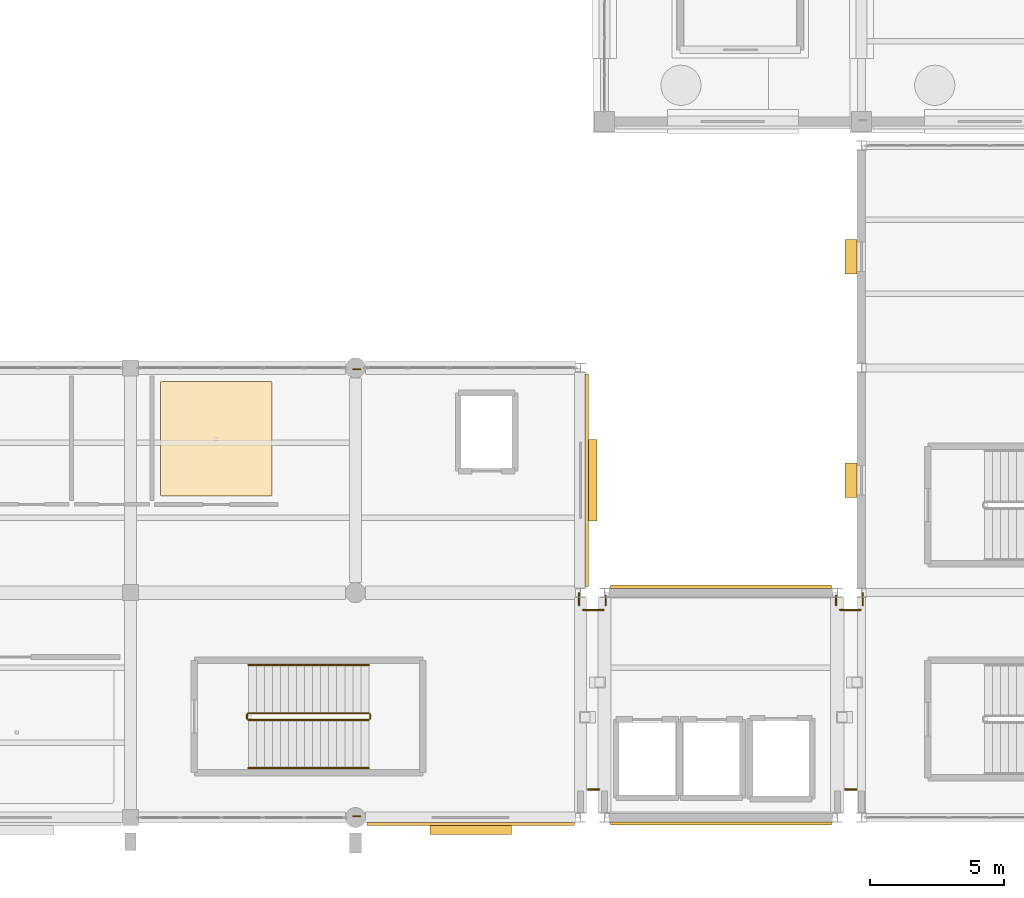
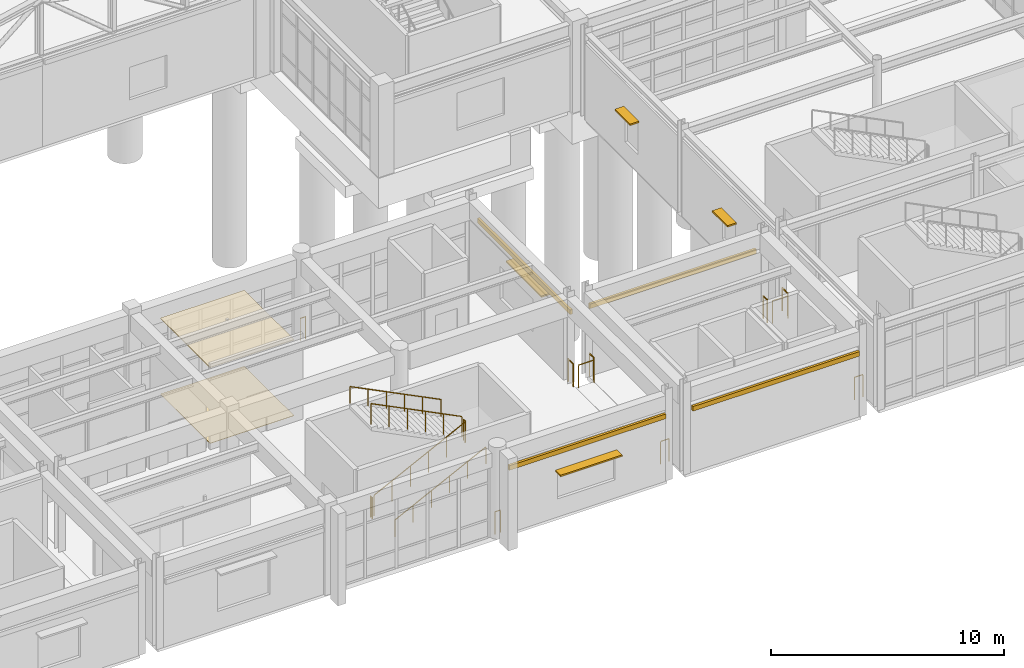
# One storey, part 125 of 139: 16 railings, 6 coverings, 4 shading devices.
"""IFC4 building model written with IfcOpenShell, lengths in metres."""

from ifc_helpers import new_model, si_unit, direction, frame, origin, origin_2d, place, context, subcontext, project, spatial, polyline, rectangle, circle, outline, extrude, material, layer, layer_set, type_object, element, save


model = new_model("IFC4")

# Units and contexts
model_context = context("Model", 3, precision=1e-05, world=origin(), true_north=direction((0.0, 1.0)))
body_context = subcontext(model_context, "Body", "Model", "MODEL_VIEW")
ifc_project = project(units=[si_unit("LENGTHUNIT", "METRE"), si_unit("AREAUNIT", "SQUARE_METRE"), si_unit("VOLUMEUNIT", "CUBIC_METRE"), si_unit("PLANEANGLEUNIT", "RADIAN"), si_unit("MASSUNIT", "GRAM", prefix="KILO")], contexts=[model_context])

# Site, building, storey
site_placement = place(None, origin())
site = spatial("IfcSite", under=ifc_project, at=site_placement, CompositionType="ELEMENT")
building_placement = place(site_placement, origin())
building = spatial("IfcBuilding", under=site, at=building_placement, Name="Canglan Escarpment Cableway Terminal", CompositionType="ELEMENT")
storey_placement = place(building_placement, frame((0.0, 0.0, 14.39990234375)))
storey = spatial("IfcBuildingStorey", under=building, at=storey_placement, Name="L03", CompositionType="ELEMENT", Elevation=14.39990234375)

# Coverings
ifc_material_1 = material(Name="Micro-perforated acoustic aluminium ceiling", Category="aluminium")
ifc_layer_1 = layer(ifc_material_1, 0.0400390625, Name="Micro-perforated acoustic aluminium ceiling")
ifc_layer_set_1 = layer_set([ifc_layer_1], Name="Micro-perforated acoustic aluminium ceiling")
covering_type_1 = type_object("IfcCoveringType", Name="COV-CEIL-ACOUSTIC-40", PredefinedType="CEILING", material=ifc_layer_set_1)
covering_1_placement = place(storey_placement, frame((0.0, 0.0, 3.960205078125)))
element("IfcCovering", 1, at=covering_1_placement, inside=storey, type_object=covering_type_1, Name="Maternal Care Room suspended acoustic ceiling", PredefinedType="CEILING", context=body_context, shape_type="SweptSolid", body=[
    extrude(outline(polyline([(121.02001953125, 24.260009765625), (121.02001953125, 24.261962890625), (121.0205078125, 24.263916015625), (121.02099609375, 24.265869140625), (121.021484375, 24.267578125), (121.0224609375, 24.269287109375), (121.0234375, 24.27099609375), (121.0244140625, 24.272705078125), (121.02587890625, 24.274169921875), (121.02734375, 24.275390625), (121.02880859375, 24.276611328125), (121.030517578125, 24.277587890625), (121.0322265625, 24.278564453125), (121.0341796875, 24.279052734375), (121.0361328125, 24.279541015625), (121.0380859375, 24.27978515625), (121.0400390625, 24.280029296875), (125.159912109375, 24.280029296875), (125.162109375, 24.27978515625), (125.163818359375, 24.279541015625), (125.165771484375, 24.279052734375), (125.167724609375, 24.278564453125), (125.16943359375, 24.277587890625), (125.171142578125, 24.276611328125), (125.172607421875, 24.275390625), (125.174072265625, 24.274169921875), (125.175537109375, 24.272705078125), (125.176513671875, 24.27099609375), (125.177490234375, 24.269287109375), (125.178466796875, 24.267578125), (125.17919921875, 24.265869140625), (125.1796875, 24.263916015625), (125.179931640625, 24.261962890625), (125.179931640625, 24.260009765625), (125.179931640625, 20.0400390625), (125.179931640625, 20.0380859375), (125.1796875, 20.0361328125), (125.17919921875, 20.0341796875), (125.178466796875, 20.0322265625), (125.177490234375, 20.030517578125), (125.176513671875, 20.02880859375), (125.175537109375, 20.02734375), (125.174072265625, 20.02587890625), (125.172607421875, 20.0244140625), (125.171142578125, 20.0234375), (125.16943359375, 20.0224609375), (125.167724609375, 20.021484375), (125.165771484375, 20.02099609375), (125.163818359375, 20.0205078125), (125.162109375, 20.02001953125), (125.159912109375, 20.02001953125), (121.0400390625, 20.02001953125), (121.0380859375, 20.02001953125), (121.0361328125, 20.0205078125), (121.0341796875, 20.02099609375), (121.0322265625, 20.021484375), (121.030517578125, 20.0224609375), (121.02880859375, 20.0234375), (121.02734375, 20.0244140625), (121.02587890625, 20.02587890625), (121.0244140625, 20.02734375), (121.0234375, 20.02880859375), (121.0224609375, 20.030517578125), (121.021484375, 20.0322265625), (121.02099609375, 20.0341796875), (121.0205078125, 20.0361328125), (121.02001953125, 20.0380859375), (121.02001953125, 20.0400390625), (121.02001953125, 24.260009765625)])), origin(), (0.0, 0.0, 1.0), 0.039794921875),
])
ifc_material_2 = material(Name="Carved classical limestone cornice", Category="masonry")
ifc_layer_2 = layer(ifc_material_2, 0.1201171875, Name="Carved classical limestone cornice")
ifc_layer_set_2 = layer_set([ifc_layer_2], Name="Carved classical limestone cornice")
covering_type_2 = type_object("IfcCoveringType", Name="COV-CORNICE-STONE", PredefinedType="CLADDING", material=ifc_layer_set_2)
covering_2_placement = place(storey_placement, frame((132.60009765625, 7.760009765625, 3.375), z_axis=(0.0, 0.0, 1.0), x_axis=(1.0, 0.0, 0.0)))
element("IfcCovering", 2, at=covering_2_placement, inside=storey, type_object=covering_type_2, Name="Classical carved limestone cornice CL-01", PredefinedType="CLADDING", context=body_context, shape_type="SweptSolid", body=[
    extrude(rectangle(XDim=7.75, YDim=0.1201171875, at=origin_2d()), origin(), (0.0, 0.0, 1.0), 0.239990234375),
])
covering_3_placement = place(storey_placement, frame((136.93994140625, 20.60009765625, 3.2548828125), z_axis=(0.0, 0.0, 1.0), x_axis=(0.0, 1.0, 0.0)))
element("IfcCovering", 3, at=covering_3_placement, inside=storey, type_object=covering_type_2, Name="Classical carved limestone cornice CL-01", PredefinedType="CLADDING", context=body_context, shape_type="SweptSolid", body=[
    extrude(rectangle(XDim=7.949951171875, YDim=0.1201171875, at=origin_2d()), origin(), (0.0, 0.0, 1.0), 0.239990234375),
])
for number, where, z_axis, x_axis, name in (
    (4, (141.949951171875, 7.780029296875, 3.27490234375), (0.0, 0.0, 1.0), (1.0, 0.0, 0.0), "Classical carved limestone cornice CL-01"),
    (5, (141.949951171875, 16.6201171875, 3.27490234375), (0.0, 0.0, 1.0), (-1.0, 0.0, 0.0), "Classical carved limestone cornice CL-01"),
):
    element("IfcCovering", number, at=place(storey_placement, frame(where, z_axis=z_axis, x_axis=x_axis)), inside=storey, type_object=covering_type_2, Name=name, PredefinedType="CLADDING", context=body_context, shape_type="SweptSolid", body=[
        extrude(rectangle(XDim=8.25, YDim=0.1201171875, at=origin_2d()), origin(), (0.0, 0.0, 1.0), 0.239990234375),
    ])
ifc_material_3 = material(Name="Polished mineral terrazzo flooring", Category="concrete")
ifc_layer_3 = layer(ifc_material_3, 0.02001953125, Name="Polished mineral terrazzo flooring")
ifc_layer_set_3 = layer_set([ifc_layer_3], Name="Polished mineral terrazzo flooring")
covering_type_3 = type_object("IfcCoveringType", Name="COV-FLR-TERRAZZO-20", PredefinedType="FLOORING", material=ifc_layer_set_3)
covering_4_placement = place(storey_placement, origin())
element("IfcCovering", 6, at=covering_4_placement, inside=storey, type_object=covering_type_3, Name="Maternal Care Room stone floor finish", PredefinedType="FLOORING", context=body_context, shape_type="SweptSolid", body=[
    extrude(outline(polyline([(121.02001953125, 24.260009765625), (121.02001953125, 24.261962890625), (121.0205078125, 24.263916015625), (121.02099609375, 24.265869140625), (121.021484375, 24.267578125), (121.0224609375, 24.269287109375), (121.0234375, 24.27099609375), (121.0244140625, 24.272705078125), (121.02587890625, 24.274169921875), (121.02734375, 24.275390625), (121.02880859375, 24.276611328125), (121.030517578125, 24.277587890625), (121.0322265625, 24.278564453125), (121.0341796875, 24.279052734375), (121.0361328125, 24.279541015625), (121.0380859375, 24.27978515625), (121.0400390625, 24.280029296875), (125.159912109375, 24.280029296875), (125.162109375, 24.27978515625), (125.163818359375, 24.279541015625), (125.165771484375, 24.279052734375), (125.167724609375, 24.278564453125), (125.16943359375, 24.277587890625), (125.171142578125, 24.276611328125), (125.172607421875, 24.275390625), (125.174072265625, 24.274169921875), (125.175537109375, 24.272705078125), (125.176513671875, 24.27099609375), (125.177490234375, 24.269287109375), (125.178466796875, 24.267578125), (125.17919921875, 24.265869140625), (125.1796875, 24.263916015625), (125.179931640625, 24.261962890625), (125.179931640625, 24.260009765625), (125.179931640625, 20.0400390625), (125.179931640625, 20.0380859375), (125.1796875, 20.0361328125), (125.17919921875, 20.0341796875), (125.178466796875, 20.0322265625), (125.177490234375, 20.030517578125), (125.176513671875, 20.02880859375), (125.175537109375, 20.02734375), (125.174072265625, 20.02587890625), (125.172607421875, 20.0244140625), (125.171142578125, 20.0234375), (125.16943359375, 20.0224609375), (125.167724609375, 20.021484375), (125.165771484375, 20.02099609375), (125.163818359375, 20.0205078125), (125.162109375, 20.02001953125), (125.159912109375, 20.02001953125), (121.0400390625, 20.02001953125), (121.0380859375, 20.02001953125), (121.0361328125, 20.0205078125), (121.0341796875, 20.02099609375), (121.0322265625, 20.021484375), (121.030517578125, 20.0224609375), (121.02880859375, 20.0234375), (121.02734375, 20.0244140625), (121.02587890625, 20.02587890625), (121.0244140625, 20.02734375), (121.0234375, 20.02880859375), (121.0224609375, 20.030517578125), (121.021484375, 20.0322265625), (121.02099609375, 20.0341796875), (121.0205078125, 20.0361328125), (121.02001953125, 20.0380859375), (121.02001953125, 20.0400390625), (121.02001953125, 24.260009765625)])), origin(), (0.0, 0.0, 1.0), 0.02001953125),
])

# Railings
ifc_material_4 = material(Name="Carved limestone and anodized bronze balustrade", Category="masonry")
railing_type_1 = type_object("IfcRailingType", Name="RL-EXT-BALUSTRADE-1200", PredefinedType="BALUSTRADE", material=ifc_material_4)
railing_1_placement = place(storey_placement, frame((128.215087890625, 24.75, 0.0)))
element("IfcRailing", 7, at=railing_1_placement, inside=storey, type_object=railing_type_1, Name="Classical terrace balustrade guard GD-01 (L03)", PredefinedType="BALUSTRADE", context=body_context, shape_type="SweptSolid", body=[
    extrude(circle(Radius=0.02392578125, at=origin_2d()), frame((0.0, 0.0, 1.17578125), z_axis=(1.0, 0.0, 0.0), x_axis=(0.0, 1.0, 0.0)), (0.0, 0.0, 1.0), 0.27001953125),
    extrude(circle(Radius=0.02099609375, at=origin_2d()), origin(), (0.0, 0.0, 1.0), 1.15185546875),
    extrude(circle(Radius=0.02099609375, at=origin_2d()), frame((0.27001953125, 0.0, 0.0)), (0.0, 0.0, 1.0), 1.15185546875),
])
railing_2_placement = place(storey_placement, frame((136.64990234375, 16.385009765625, 0.0)))
element("IfcRailing", 8, at=railing_2_placement, inside=storey, type_object=railing_type_1, Name="Classical terrace balustrade guard GD-01 (L03)", PredefinedType="BALUSTRADE", context=body_context, shape_type="SweptSolid", body=[
    extrude(circle(Radius=0.02392578125, at=origin_2d()), frame((0.0, 0.0, 1.17578125), z_axis=(0.0, -1.0, 0.0), x_axis=(1.0, 0.0, 0.0)), (0.0, 0.0, 1.0), 0.455078125),
    extrude(circle(Radius=0.02099609375, at=origin_2d()), origin(), (0.0, 0.0, 1.0), 1.15185546875),
    extrude(circle(Radius=0.02099609375, at=origin_2d()), frame((0.0, -0.455078125, 0.0)), (0.0, 0.0, 1.0), 1.15185546875),
])
railing_3_placement = place(storey_placement, frame((136.79931640625, 15.756103515625, 0.0)))
element("IfcRailing", 9, at=railing_3_placement, inside=storey, type_object=railing_type_1, Name="Classical terrace balustrade guard GD-01 (L03)", PredefinedType="BALUSTRADE", context=body_context, shape_type="SweptSolid", body=[
    extrude(circle(Radius=0.02392578125, at=origin_2d()), frame((0.0, 0.0, 1.17578125), z_axis=(0.999968646904, -0.007918662076, 0.0), x_axis=(0.007918662076, 0.999968646904, 0.0)), (0.0, 0.0, 1.0), 0.770751953125),
    extrude(circle(Radius=0.02099609375, at=origin_2d()), origin(), (0.0, 0.0, 1.0), 1.15185546875),
    extrude(circle(Radius=0.02099609375, at=origin_2d()), frame((0.770751953125, -0.006103515625, 0.0)), (0.0, 0.0, 1.0), 1.15185546875),
])
railing_4_placement = place(storey_placement, frame((137.64990234375, 15.929931640625, 0.0)))
element("IfcRailing", 10, at=railing_4_placement, inside=storey, type_object=railing_type_1, Name="Classical terrace balustrade guard GD-01 (L03)", PredefinedType="BALUSTRADE", context=body_context, shape_type="SweptSolid", body=[
    extrude(circle(Radius=0.02392578125, at=origin_2d()), frame((0.0, 0.0, 1.17578125), z_axis=(0.0, 1.0, 0.0), x_axis=(-1.0, 0.0, 0.0)), (0.0, 0.0, 1.0), 0.356201171875),
    extrude(circle(Radius=0.02099609375, at=origin_2d()), origin(), (0.0, 0.0, 1.0), 1.15185546875),
    extrude(circle(Radius=0.02099609375, at=origin_2d()), frame((0.0, 0.356201171875, 0.0)), (0.0, 0.0, 1.0), 1.15185546875),
])
railing_5_placement = place(storey_placement, frame((146.25, 16.2861328125, 0.0)))
element("IfcRailing", 11, at=railing_5_placement, inside=storey, type_object=railing_type_1, Name="Classical terrace balustrade guard GD-01 (L03)", PredefinedType="BALUSTRADE", context=body_context, shape_type="SweptSolid", body=[
    extrude(circle(Radius=0.02392578125, at=origin_2d()), frame((0.0, 0.0, 1.17578125), z_axis=(0.0, -1.0, 0.0), x_axis=(1.0, 0.0, 0.0)), (0.0, 0.0, 1.0), 0.356201171875),
    extrude(circle(Radius=0.02099609375, at=origin_2d()), origin(), (0.0, 0.0, 1.0), 1.15185546875),
    extrude(circle(Radius=0.02099609375, at=origin_2d()), frame((0.0, -0.356201171875, 0.0)), (0.0, 0.0, 1.0), 1.15185546875),
])
railing_6_placement = place(storey_placement, frame((146.3994140625, 15.756103515625, 0.0)))
element("IfcRailing", 12, at=railing_6_placement, inside=storey, type_object=railing_type_1, Name="Classical terrace balustrade guard GD-01 (L03)", PredefinedType="BALUSTRADE", context=body_context, shape_type="SweptSolid", body=[
    extrude(circle(Radius=0.02392578125, at=origin_2d()), frame((0.0, 0.0, 1.17578125), z_axis=(0.999968627033, -0.007921171, 0.0), x_axis=(0.007921171, 0.999968627033, 0.0)), (0.0, 0.0, 1.0), 0.7705078125),
    extrude(circle(Radius=0.02099609375, at=origin_2d()), origin(), (0.0, 0.0, 1.0), 1.15185546875),
    extrude(circle(Radius=0.02099609375, at=origin_2d()), frame((0.7705078125, -0.006103515625, 0.0)), (0.0, 0.0, 1.0), 1.15185546875),
])
railing_7_placement = place(storey_placement, frame((147.25, 15.929931640625, 0.0)))
element("IfcRailing", 13, at=railing_7_placement, inside=storey, type_object=railing_type_1, Name="Classical terrace balustrade guard GD-01 (L03)", PredefinedType="BALUSTRADE", context=body_context, shape_type="SweptSolid", body=[
    extrude(circle(Radius=0.02392578125, at=origin_2d()), frame((0.0, 0.0, 1.17578125), z_axis=(0.0, 1.0, 0.0), x_axis=(-1.0, 0.0, 0.0)), (0.0, 0.0, 1.0), 0.455078125),
    extrude(circle(Radius=0.02099609375, at=origin_2d()), origin(), (0.0, 0.0, 1.0), 1.15185546875),
    extrude(circle(Radius=0.02099609375, at=origin_2d()), frame((0.0, 0.455078125, 0.0)), (0.0, 0.0, 1.0), 1.15185546875),
])
for number, where, name in (
    (14, (147.010009765625, 9.050048828125, 0.0), "Classical terrace balustrade guard GD-01 (L03)"),
    (15, (137.409912109375, 9.050048828125, 0.0), "Classical terrace balustrade guard GD-01 (L03)"),
):
    element("IfcRailing", number, at=place(storey_placement, frame(where)), inside=storey, type_object=railing_type_1, Name=name, PredefinedType="BALUSTRADE", context=body_context, shape_type="SweptSolid", body=[
        extrude(circle(Radius=0.02392578125, at=origin_2d()), frame((0.0, 0.0, 1.17578125), z_axis=(-1.0, 0.0, 0.0), x_axis=(0.0, -1.0, 0.0)), (0.0, 0.0, 1.0), 0.419921875),
        extrude(circle(Radius=0.02099609375, at=origin_2d()), origin(), (0.0, 0.0, 1.0), 1.15185546875),
        extrude(circle(Radius=0.02099609375, at=origin_2d()), frame((-0.419921875, 0.0, 0.0)), (0.0, 0.0, 1.0), 1.15185546875),
    ])
railing_8_placement = place(storey_placement, frame((128.485107421875, 8.050048828125, 0.0)))
element("IfcRailing", 16, at=railing_8_placement, inside=storey, type_object=railing_type_1, Name="Classical terrace balustrade guard GD-01 (L03)", PredefinedType="BALUSTRADE", context=body_context, shape_type="SweptSolid", body=[
    extrude(circle(Radius=0.02392578125, at=origin_2d()), frame((0.0, 0.0, 1.17578125), z_axis=(-1.0, 0.0, 0.0), x_axis=(0.0, -1.0, 0.0)), (0.0, 0.0, 1.0), 0.27001953125),
    extrude(circle(Radius=0.02099609375, at=origin_2d()), origin(), (0.0, 0.0, 1.0), 1.15185546875),
    extrude(circle(Radius=0.02099609375, at=origin_2d()), frame((-0.27001953125, 0.0, 0.0)), (0.0, 0.0, 1.0), 1.15185546875),
])
ifc_material_5 = material(Name="Powder-coated steel stair balustrade", Category="steel")
railing_type_2 = type_object("IfcRailingType", Name="RL-STR-GUARD-1100", PredefinedType="BALUSTRADE", material=ifc_material_5)
railing_9_placement = place(storey_placement, frame((124.300048828125, 11.64990234375, 0.150146484375)))
element("IfcRailing", 17, at=railing_9_placement, inside=storey, type_object=railing_type_2, Name="L03 ST-07 stair guard 1", PredefinedType="BALUSTRADE", context=body_context, shape_type="SweptSolid", body=[
    extrude(circle(Radius=0.02392578125, at=origin_2d()), frame((0.0, 0.0, 1.076171875), z_axis=(0.894427191, 0.0, 0.4472135955), x_axis=(0.0, 1.0, 0.0)), (0.0, 0.0, 1.0), 5.03125),
    extrude(circle(Radius=0.02099609375, at=origin_2d()), origin(), (0.0, 0.0, 1.0), 1.052001953125),
    extrude(circle(Radius=0.02099609375, at=origin_2d()), frame((0.89990234375, 0.0, 0.449951171875)), (0.0, 0.0, 1.0), 1.052001953125),
    extrude(circle(Radius=0.02099609375, at=origin_2d()), frame((1.800048828125, 0.0, 0.89990234375)), (0.0, 0.0, 1.0), 1.052001953125),
    extrude(circle(Radius=0.02099609375, at=origin_2d()), frame((2.699951171875, 0.0, 1.35009765625)), (0.0, 0.0, 1.0), 1.052001953125),
    extrude(circle(Radius=0.02099609375, at=origin_2d()), frame((3.60009765625, 0.0, 1.800048828125)), (0.0, 0.0, 1.0), 1.052001953125),
    extrude(circle(Radius=0.02099609375, at=origin_2d()), frame((4.5, 0.0, 2.25)), (0.0, 0.0, 1.0), 1.052001953125),
])
railing_10_placement = place(storey_placement, frame((128.85009765625, 11.699951171875, 2.400146484375)))
element("IfcRailing", 18, at=railing_10_placement, inside=storey, type_object=railing_type_2, Name="L03 ST-07 stair guard 2", PredefinedType="BALUSTRADE", context=body_context, shape_type="SweptSolid", body=[
    extrude(circle(Radius=0.02392578125, at=origin_2d()), frame((0.0, 0.0, 1.076171875), z_axis=(0.0, 1.0, 0.0), x_axis=(-1.0, 0.0, 0.0)), (0.0, 0.0, 1.0), 0.150146484375),
    extrude(circle(Radius=0.02099609375, at=origin_2d()), origin(), (0.0, 0.0, 1.0), 1.052001953125),
    extrude(circle(Radius=0.02099609375, at=origin_2d()), frame((0.0, 0.150146484375, 0.0)), (0.0, 0.0, 1.0), 1.052001953125),
])
railing_11_placement = place(storey_placement, frame((128.800048828125, 11.89990234375, 2.550048828125)))
element("IfcRailing", 19, at=railing_11_placement, inside=storey, type_object=railing_type_2, Name="L03 ST-07 stair guard 3", PredefinedType="BALUSTRADE", context=body_context, shape_type="SweptSolid", body=[
    extrude(circle(Radius=0.02392578125, at=origin_2d()), frame((0.0, 0.0, 1.076171875), z_axis=(-0.894427191, 0.0, 0.4472135955), x_axis=(0.0, -1.0, 0.0)), (0.0, 0.0, 1.0), 5.03125),
    extrude(circle(Radius=0.02099609375, at=origin_2d()), origin(), (0.0, 0.0, 1.0), 1.052001953125),
    extrude(circle(Radius=0.02099609375, at=origin_2d()), frame((-0.89990234375, 0.0, 0.449951171875)), (0.0, 0.0, 1.0), 1.052001953125),
    extrude(circle(Radius=0.02099609375, at=origin_2d()), frame((-1.800048828125, 0.0, 0.89990234375)), (0.0, 0.0, 1.0), 1.052001953125),
    extrude(circle(Radius=0.02099609375, at=origin_2d()), frame((-2.699951171875, 0.0, 1.35009765625)), (0.0, 0.0, 1.0), 1.052001953125),
    extrude(circle(Radius=0.02099609375, at=origin_2d()), frame((-3.60009765625, 0.0, 1.800048828125)), (0.0, 0.0, 1.0), 1.052001953125),
    extrude(circle(Radius=0.02099609375, at=origin_2d()), frame((-4.5, 0.0, 2.25)), (0.0, 0.0, 1.0), 1.052001953125),
])
railing_12_placement = place(storey_placement, frame((124.25, 11.699951171875, 0.0)))
element("IfcRailing", 20, at=railing_12_placement, inside=storey, type_object=railing_type_2, Name="L03 ST-07 stair guard 4", PredefinedType="BALUSTRADE", context=body_context, shape_type="SweptSolid", body=[
    extrude(circle(Radius=0.02392578125, at=origin_2d()), frame((0.0, 0.0, 1.076171875), z_axis=(0.0, 1.0, 0.0), x_axis=(-1.0, 0.0, 0.0)), (0.0, 0.0, 1.0), 0.150146484375),
    extrude(circle(Radius=0.02099609375, at=origin_2d()), origin(), (0.0, 0.0, 1.0), 1.052001953125),
    extrude(circle(Radius=0.02099609375, at=origin_2d()), frame((0.0, 0.150146484375, 0.0)), (0.0, 0.0, 1.0), 1.052001953125),
])
ifc_material_6 = material(Name="Brushed stainless steel 304 handrail", Category="steel")
railing_type_3 = type_object("IfcRailingType", Name="RL-STR-HR-900", PredefinedType="HANDRAIL", material=ifc_material_6)
railing_13_placement = place(storey_placement, frame((124.300048828125, 9.85009765625, 0.150146484375)))
element("IfcRailing", 21, at=railing_13_placement, inside=storey, type_object=railing_type_3, Name="L03 ST-07 stair handrail 1", PredefinedType="HANDRAIL", context=body_context, shape_type="SweptSolid", body=[
    extrude(circle(Radius=0.02392578125, at=origin_2d()), frame((0.0, 0.0, 0.8759765625), z_axis=(0.894427191, 0.0, 0.4472135955), x_axis=(0.0, 1.0, 0.0)), (0.0, 0.0, 1.0), 5.03125),
    extrude(circle(Radius=0.02099609375, at=origin_2d()), origin(), (0.0, 0.0, 1.0), 0.851806640625),
    extrude(circle(Radius=0.02099609375, at=origin_2d()), frame((0.89990234375, 0.0, 0.449951171875)), (0.0, 0.0, 1.0), 0.851806640625),
    extrude(circle(Radius=0.02099609375, at=origin_2d()), frame((1.800048828125, 0.0, 0.89990234375)), (0.0, 0.0, 1.0), 0.851806640625),
    extrude(circle(Radius=0.02099609375, at=origin_2d()), frame((2.699951171875, 0.0, 1.35009765625)), (0.0, 0.0, 1.0), 0.851806640625),
    extrude(circle(Radius=0.02099609375, at=origin_2d()), frame((3.60009765625, 0.0, 1.800048828125)), (0.0, 0.0, 1.0), 0.851806640625),
    extrude(circle(Radius=0.02099609375, at=origin_2d()), frame((4.5, 0.0, 2.25)), (0.0, 0.0, 1.0), 0.851806640625),
])
railing_14_placement = place(storey_placement, frame((128.800048828125, 13.699951171875, 2.550048828125)))
element("IfcRailing", 22, at=railing_14_placement, inside=storey, type_object=railing_type_3, Name="L03 ST-07 stair handrail 2", PredefinedType="HANDRAIL", context=body_context, shape_type="SweptSolid", body=[
    extrude(circle(Radius=0.02392578125, at=origin_2d()), frame((0.0, 0.0, 0.8759765625), z_axis=(-0.894427191, 0.0, 0.4472135955), x_axis=(0.0, -1.0, 0.0)), (0.0, 0.0, 1.0), 5.03125),
    extrude(circle(Radius=0.02099609375, at=origin_2d()), origin(), (0.0, 0.0, 1.0), 0.851806640625),
    extrude(circle(Radius=0.02099609375, at=origin_2d()), frame((-0.89990234375, 0.0, 0.449951171875)), (0.0, 0.0, 1.0), 0.851806640625),
    extrude(circle(Radius=0.02099609375, at=origin_2d()), frame((-1.800048828125, 0.0, 0.89990234375)), (0.0, 0.0, 1.0), 0.851806640625),
    extrude(circle(Radius=0.02099609375, at=origin_2d()), frame((-2.699951171875, 0.0, 1.35009765625)), (0.0, 0.0, 1.0), 0.851806640625),
    extrude(circle(Radius=0.02099609375, at=origin_2d()), frame((-3.60009765625, 0.0, 1.800048828125)), (0.0, 0.0, 1.0), 0.851806640625),
    extrude(circle(Radius=0.02099609375, at=origin_2d()), frame((-4.5, 0.0, 2.25)), (0.0, 0.0, 1.0), 0.851806640625),
])

# Shading devices
ifc_material_7 = material(Name="Anodized architectural bronze aluminium", Category="aluminium")
ifc_layer_4 = layer(ifc_material_7, 0.080078125, Name="Anodized architectural bronze aluminium")
ifc_layer_set_4 = layer_set([ifc_layer_4], Name="Anodized architectural bronze aluminium")
shading_device_type_1 = type_object("IfcShadingDeviceType", Name="SHD-BRONZE-LOUVRE-01", PredefinedType="JALOUSIE", material=ifc_layer_set_4)
shading_device_1_placement = place(storey_placement, frame((132.60009765625, 7.594970703125, 2.420166015625), z_axis=(0.0, 0.0, 1.0), x_axis=(1.0, 0.0, 0.0)))
element("IfcShadingDevice", 23, at=shading_device_1_placement, inside=storey, type_object=shading_device_type_1, Name="Anodized bronze sun-shading brise-soleil SD-01", PredefinedType="JALOUSIE", context=body_context, shape_type="SweptSolid", body=[
    extrude(rectangle(XDim=3.050048828125, YDim=0.449951171875, at=origin_2d()), origin(), (0.0, 0.0, 1.0), 0.080078125),
])
shading_device_2_placement = place(storey_placement, frame((146.81494140625, 20.60009765625, 2.420166015625), z_axis=(0.0, 0.0, 1.0), x_axis=(0.0, -1.0, 0.0)))
element("IfcShadingDevice", 24, at=shading_device_2_placement, inside=storey, type_object=shading_device_type_1, Name="Anodized bronze sun-shading brise-soleil SD-01", PredefinedType="JALOUSIE", context=body_context, shape_type="SweptSolid", body=[
    extrude(rectangle(XDim=1.300048828125, YDim=0.449951171875, at=origin_2d()), origin(), (0.0, 0.0, 1.0), 0.080078125),
])
ifc_layer_5 = layer(ifc_material_7, 0.10009765625, Name="Anodized architectural bronze aluminium")
ifc_layer_set_5 = layer_set([ifc_layer_5], Name="Anodized architectural bronze aluminium")
shading_device_type_2 = type_object("IfcShadingDeviceType", Name="SHD-BRONZE-LOUVRE-02", PredefinedType="JALOUSIE", material=ifc_layer_set_5)
shading_device_3_placement = place(storey_placement, frame((137.10498046875, 20.60009765625, 2.670166015625), z_axis=(0.0, 0.0, 1.0), x_axis=(0.0, 1.0, 0.0)))
element("IfcShadingDevice", 25, at=shading_device_3_placement, inside=storey, type_object=shading_device_type_2, Name="Anodized bronze sun-shading brise-soleil SD-01", PredefinedType="JALOUSIE", context=body_context, shape_type="SweptSolid", body=[
    extrude(rectangle(XDim=3.050048828125, YDim=0.449951171875, at=origin_2d()), origin(), (0.0, 0.0, 1.0), 0.080078125),
])
shading_device_4_placement = place(storey_placement, frame((146.81494140625, 28.949951171875, 2.670166015625), z_axis=(0.0, 0.0, 1.0), x_axis=(0.0, -1.0, 0.0)))
element("IfcShadingDevice", 26, at=shading_device_4_placement, inside=storey, type_object=shading_device_type_2, Name="Anodized bronze sun-shading brise-soleil SD-01", PredefinedType="JALOUSIE", context=body_context, shape_type="SweptSolid", body=[
    extrude(rectangle(XDim=1.300048828125, YDim=0.449951171875, at=origin_2d()), origin(), (0.0, 0.0, 1.0), 0.080078125),
])

save(model, "model.ifc")
